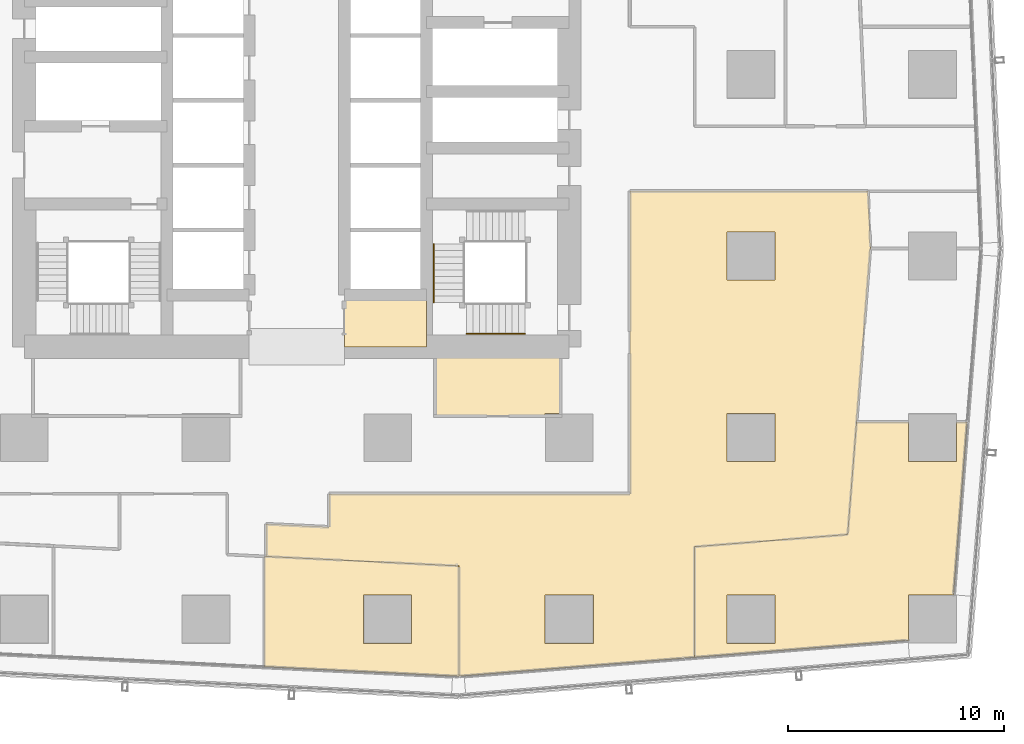
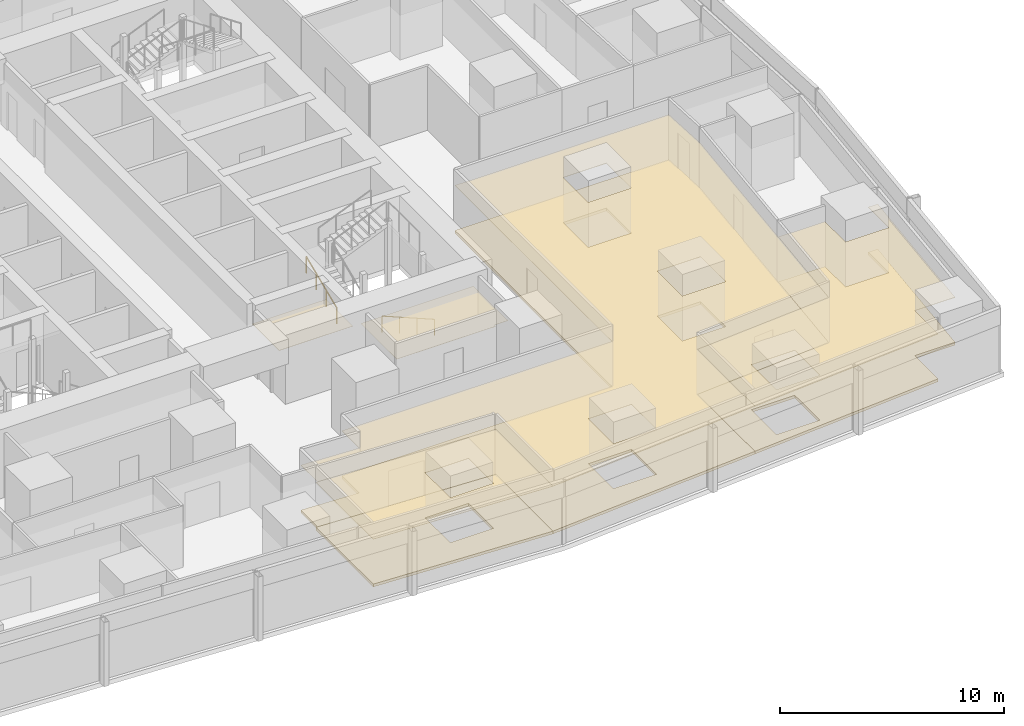
# One storey, part 38 of 44: 8 coverings, 2 railings.
"""IFC4 building model written with IfcOpenShell, lengths in metres."""

from ifc_helpers import new_model, si_unit, direction, frame, origin, origin_2d, place, context, subcontext, project, spatial, polyline, circle, outline, extrude, material, layer, layer_set, type_object, element, save


model = new_model("IFC4")

# Units and contexts
model_context = context("Model", 3, precision=1e-05, world=origin(), true_north=direction((0.0, 1.0)))
body_context = subcontext(model_context, "Body", "Model", "MODEL_VIEW")
ifc_project = project(units=[si_unit("LENGTHUNIT", "METRE"), si_unit("AREAUNIT", "SQUARE_METRE"), si_unit("VOLUMEUNIT", "CUBIC_METRE"), si_unit("PLANEANGLEUNIT", "RADIAN"), si_unit("MASSUNIT", "GRAM", prefix="KILO")], contexts=[model_context])

# Site, building, storey
site_placement = place(None, origin())
site = spatial("IfcSite", under=ifc_project, at=site_placement, CompositionType="ELEMENT")
building_placement = place(site_placement, origin())
building = spatial("IfcBuilding", under=site, at=building_placement, Name="Rekha Terrace Tower", CompositionType="ELEMENT")
storey_placement = place(building_placement, frame((0.0, 0.0, 62.89990234375)))
storey = spatial("IfcBuildingStorey", under=building, at=storey_placement, Name="L15", CompositionType="ELEMENT", Elevation=62.89990234375)

# Coverings
ifc_material_1 = material(Name="Mineral fibre tile in exposed grid", Category="finish")
ifc_layer_1 = layer(ifc_material_1, 0.02001953125)
ifc_layer_set_1 = layer_set([ifc_layer_1], Name="Mineral fibre tile in exposed grid")
covering_type_1 = type_object("IfcCoveringType", Name="CL1 600x1200 office grid ceiling", PredefinedType="CEILING", material=ifc_layer_set_1)
covering_1_placement = place(storey_placement, frame((0.0, 0.0, 2.580078125)))
element("IfcCovering", 1, at=covering_1_placement, inside=storey, type_object=covering_type_1, Name="Ceiling L15-02", PredefinedType="CEILING", context=body_context, shape_type="SweptSolid", body=[
    extrude(outline(polyline([(36.299072265625, 6.202880859375), (45.303955078125, 5.760009765625), (45.303955078125, 10.866943359375), (36.299072265625, 11.30908203125), (36.299072265625, 6.202880859375)]), holes=[polyline([(43.114990234375, 7.284912109375), (40.885009765625, 7.284912109375), (40.885009765625, 9.514892578125), (43.114990234375, 9.514892578125), (43.114990234375, 7.284912109375)])]), origin(), (0.0, 0.0, 1.0), 0.02001953125),
])
covering_2_placement = place(storey_placement, frame((0.0, 0.0, 2.580078125)))
element("IfcCovering", 2, at=covering_2_placement, inside=storey, type_object=covering_type_1, Name="Ceiling L15-03", PredefinedType="CEILING", context=body_context, shape_type="SweptSolid", body=[
    extrude(outline(polyline([(66.0849609375, 15.68505859375), (66.0849609375, 17.52294921875), (63.68798828125, 17.52294921875), (63.27490234375, 12.321044921875), (56.197021484375, 11.75390625), (56.197021484375, 6.636962890625), (66.0849609375, 7.428955078125), (66.0849609375, 9.514892578125), (68.16796875, 9.514892578125), (68.803955078125, 17.52294921875), (68.31494140625, 17.52294921875), (68.31494140625, 15.68505859375), (66.0849609375, 15.68505859375)]), holes=[polyline([(59.9150390625, 7.284912109375), (57.68505859375, 7.284912109375), (57.68505859375, 9.514892578125), (59.9150390625, 9.514892578125), (59.9150390625, 7.284912109375)])]), origin(), (0.0, 0.0, 1.0), 0.02001953125),
])
covering_3_placement = place(storey_placement, frame((0.0, 0.0, 2.580078125)))
element("IfcCovering", 3, at=covering_3_placement, inside=storey, type_object=covering_type_1, Name="Ceiling L15-O1", PredefinedType="CEILING", context=body_context, shape_type="SweptSolid", body=[
    extrude(outline(polyline([(36.384033203125, 11.304931640625), (45.193115234375, 10.8720703125), (45.303955078125, 10.881103515625), (45.303955078125, 5.764892578125), (56.197021484375, 6.636962890625), (56.197021484375, 11.75390625), (63.27490234375, 12.321044921875), (63.68798828125, 17.52392578125), (64.324951171875, 25.5458984375), (64.3291015625, 25.612060546875), (64.218994140625, 28.199951171875), (53.199951171875, 28.199951171875), (53.199951171875, 14.199951171875), (39.300048828125, 14.199951171875), (39.300048828125, 12.6630859375), (36.384033203125, 12.805908203125), (36.384033203125, 11.304931640625)]), holes=[polyline([(59.9150390625, 17.9150390625), (59.9150390625, 15.68505859375), (57.68505859375, 15.68505859375), (57.68505859375, 17.9150390625), (59.9150390625, 17.9150390625)]), polyline([(59.9150390625, 24.0849609375), (57.68505859375, 24.0849609375), (57.68505859375, 26.31494140625), (59.9150390625, 26.31494140625), (59.9150390625, 24.0849609375)]), polyline([(51.514892578125, 7.284912109375), (49.284912109375, 7.284912109375), (49.284912109375, 9.514892578125), (51.514892578125, 9.514892578125), (51.514892578125, 7.284912109375)])]), origin(), (0.0, 0.0, 1.0), 0.02001953125),
])
ifc_material_2 = material(Name="Fibre cement board", Category="finish")
ifc_layer_2 = layer(ifc_material_2, 0.014892578125)
ifc_layer_set_2 = layer_set([ifc_layer_2], Name="Fibre cement board")
covering_type_2 = type_object("IfcCoveringType", Name="CL2 moisture-resistant board ceiling", PredefinedType="CEILING", material=ifc_layer_set_2)
covering_4_placement = place(storey_placement, frame((0.0, 0.0, 2.585205078125)))
element("IfcCovering", 4, at=covering_4_placement, inside=storey, type_object=covering_type_2, Name="Ceiling L15-WCA", PredefinedType="CEILING", context=body_context, shape_type="SweptSolid", body=[
    extrude(outline(polyline([(43.800048828125, 23.39990234375), (40.0, 23.39990234375), (40.0, 21.0), (43.800048828125, 21.0), (43.800048828125, 23.39990234375)])), origin(), (0.0, 0.0, 1.0), 0.014892578125),
])
covering_5_placement = place(storey_placement, frame((0.0, 0.0, 2.585205078125)))
element("IfcCovering", 5, at=covering_5_placement, inside=storey, type_object=covering_type_2, Name="Ceiling L15-WCM2", PredefinedType="CEILING", context=body_context, shape_type="SweptSolid", body=[
    extrude(outline(polyline([(50.0, 21.0), (44.199951171875, 21.0), (44.199951171875, 17.800048828125), (49.284912109375, 17.800048828125), (49.284912109375, 17.9150390625), (50.0, 17.9150390625), (50.0, 21.0)])), origin(), (0.0, 0.0, 1.0), 0.014892578125),
])

# Railings
ifc_material_3 = material(Name="Stainless steel tube", Category="steel")
railing_type = type_object("IfcRailingType", Name="HR1 900 stair handrail", PredefinedType="HANDRAIL", material=ifc_material_3)
railing_1_placement = place(storey_placement, frame((48.35009765625, 21.610107421875, 0.125)))
element("IfcRailing", 6, at=railing_1_placement, inside=storey, type_object=railing_type, Name="Handrail ST3 L15 flight 1", PredefinedType="HANDRAIL", context=body_context, shape_type="SweptSolid", body=[
    extrude(circle(Radius=0.02392578125, at=origin_2d()), frame((0.0, 0.0, 0.8759765625), z_axis=(-0.923086799901, 0.0, 0.38459167938), x_axis=(0.0, -1.0, 0.0)), (0.0, 0.0, 1.0), 2.92529296875),
    extrude(circle(Radius=0.02099609375, at=origin_2d()), origin(), (0.0, 0.0, 1.0), 0.851806640625),
    extrude(circle(Radius=0.02099609375, at=origin_2d()), frame((-0.900146484375, 0.0, 0.375)), (0.0, 0.0, 1.0), 0.851806640625),
    extrude(circle(Radius=0.02099609375, at=origin_2d()), frame((-1.800048828125, 0.0, 0.75)), (0.0, 0.0, 1.0), 0.851806640625),
    extrude(circle(Radius=0.02099609375, at=origin_2d()), frame((-2.7001953125, 0.0, 1.125)), (0.0, 0.0, 1.0), 0.851806640625),
])
railing_2_placement = place(storey_placement, frame((44.135009765625, 23.050048828125, 1.375)))
element("IfcRailing", 7, at=railing_2_placement, inside=storey, type_object=railing_type, Name="Handrail ST3 L15 flight 2", PredefinedType="HANDRAIL", context=body_context, shape_type="SweptSolid", body=[
    extrude(circle(Radius=0.02392578125, at=origin_2d()), frame((0.0, 0.0, 0.8759765625), z_axis=(0.0, 0.923074453586, 0.384621311341), x_axis=(-1.0, 0.0, 0.0)), (0.0, 0.0, 1.0), 2.925048828125),
    extrude(circle(Radius=0.02099609375, at=origin_2d()), origin(), (0.0, 0.0, 1.0), 0.851806640625),
    extrude(circle(Radius=0.02099609375, at=origin_2d()), frame((0.0, 0.89990234375, 0.375)), (0.0, 0.0, 1.0), 0.851806640625),
    extrude(circle(Radius=0.02099609375, at=origin_2d()), frame((0.0, 1.800048828125, 0.75)), (0.0, 0.0, 1.0), 0.851806640625),
    extrude(circle(Radius=0.02099609375, at=origin_2d()), frame((0.0, 2.699951171875, 1.125)), (0.0, 0.0, 1.0), 0.851806640625),
])

# Coverings
ifc_material_4 = material(Name="Calcium sulphate panels on steel pedestals", Category="steel")
ifc_layer_3 = layer(ifc_material_4, 0.14990234375)
ifc_layer_set_3 = layer_set([ifc_layer_3], Name="Calcium sulphate panels on steel pedestals")
covering_type_3 = type_object("IfcCoveringType", Name="RF1 150 raised access floor", PredefinedType="FLOORING", material=ifc_layer_set_3)
covering_6_placement = place(storey_placement, origin())
element("IfcCovering", 8, at=covering_6_placement, inside=storey, type_object=covering_type_3, Name="Raised floor L15-02", PredefinedType="FLOORING", context=body_context, shape_type="SweptSolid", body=[
    extrude(outline(polyline([(36.299072265625, 6.202880859375), (45.303955078125, 5.760009765625), (45.303955078125, 10.866943359375), (36.299072265625, 11.30908203125), (36.299072265625, 6.202880859375)]), holes=[polyline([(43.114990234375, 7.284912109375), (40.885009765625, 7.284912109375), (40.885009765625, 9.514892578125), (43.114990234375, 9.514892578125), (43.114990234375, 7.284912109375)])]), origin(), (0.0, 0.0, 1.0), 0.150146484375),
])
covering_7_placement = place(storey_placement, origin())
element("IfcCovering", 9, at=covering_7_placement, inside=storey, type_object=covering_type_3, Name="Raised floor L15-03", PredefinedType="FLOORING", context=body_context, shape_type="SweptSolid", body=[
    extrude(outline(polyline([(66.0849609375, 15.68505859375), (66.0849609375, 17.52294921875), (63.68798828125, 17.52294921875), (63.27490234375, 12.321044921875), (56.197021484375, 11.75390625), (56.197021484375, 6.636962890625), (66.0849609375, 7.428955078125), (66.0849609375, 9.514892578125), (68.16796875, 9.514892578125), (68.803955078125, 17.52294921875), (68.31494140625, 17.52294921875), (68.31494140625, 15.68505859375), (66.0849609375, 15.68505859375)]), holes=[polyline([(59.9150390625, 7.284912109375), (57.68505859375, 7.284912109375), (57.68505859375, 9.514892578125), (59.9150390625, 9.514892578125), (59.9150390625, 7.284912109375)])]), origin(), (0.0, 0.0, 1.0), 0.150146484375),
])
covering_8_placement = place(storey_placement, origin())
element("IfcCovering", 10, at=covering_8_placement, inside=storey, type_object=covering_type_3, Name="Raised floor L15-O1", PredefinedType="FLOORING", context=body_context, shape_type="SweptSolid", body=[
    extrude(outline(polyline([(36.384033203125, 11.304931640625), (45.193115234375, 10.8720703125), (45.303955078125, 10.881103515625), (45.303955078125, 5.764892578125), (56.197021484375, 6.636962890625), (56.197021484375, 11.75390625), (63.27490234375, 12.321044921875), (63.68798828125, 17.52392578125), (64.324951171875, 25.5458984375), (64.3291015625, 25.612060546875), (64.218994140625, 28.199951171875), (53.199951171875, 28.199951171875), (53.199951171875, 14.199951171875), (39.300048828125, 14.199951171875), (39.300048828125, 12.6630859375), (36.384033203125, 12.805908203125), (36.384033203125, 11.304931640625)]), holes=[polyline([(59.9150390625, 17.9150390625), (59.9150390625, 15.68505859375), (57.68505859375, 15.68505859375), (57.68505859375, 17.9150390625), (59.9150390625, 17.9150390625)]), polyline([(59.9150390625, 24.0849609375), (57.68505859375, 24.0849609375), (57.68505859375, 26.31494140625), (59.9150390625, 26.31494140625), (59.9150390625, 24.0849609375)]), polyline([(51.514892578125, 7.284912109375), (49.284912109375, 7.284912109375), (49.284912109375, 9.514892578125), (51.514892578125, 9.514892578125), (51.514892578125, 7.284912109375)])]), origin(), (0.0, 0.0, 1.0), 0.150146484375),
])

save(model, "model.ifc")
